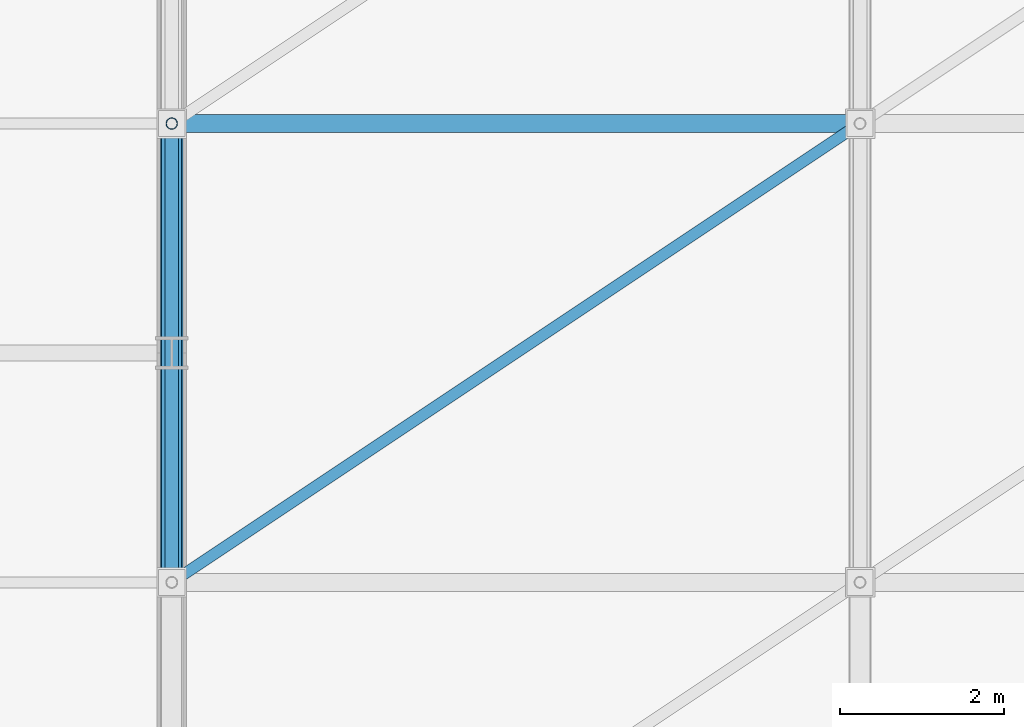
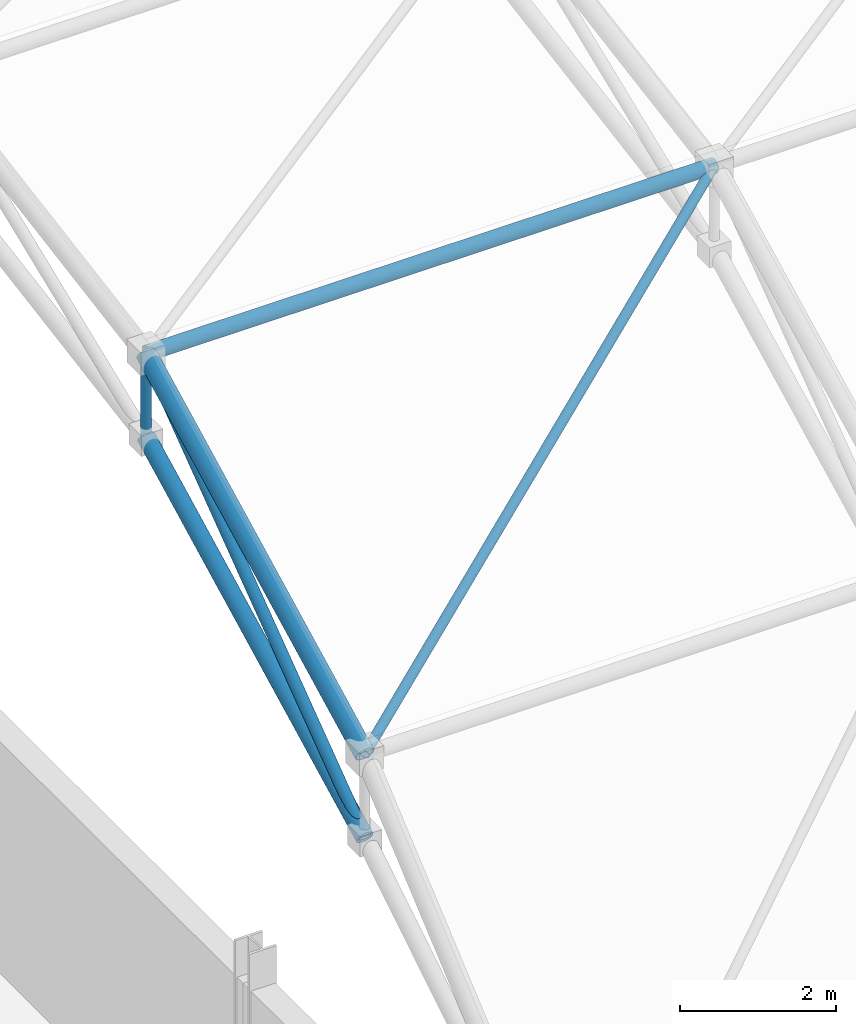
# One storey, part 35 of 184: 6 members.
"""IFC4 building model written with IfcOpenShell, lengths in metres."""

from ifc_helpers import new_model, si_unit, direction, frame, origin, origin_2d, place, context, subcontext, project, spatial, hollow_circle, extrude, material, material_profile, profile_set, type_object, element, save


model = new_model("IFC4")

# Units and contexts
model_context = context("Model", 3, precision=1e-05, world=origin(), true_north=direction((0.0, 1.0)))
body_context = subcontext(model_context, "Body", "Model", "MODEL_VIEW")
ifc_project = project(units=[si_unit("LENGTHUNIT", "METRE"), si_unit("AREAUNIT", "SQUARE_METRE"), si_unit("VOLUMEUNIT", "CUBIC_METRE"), si_unit("PLANEANGLEUNIT", "RADIAN"), si_unit("MASSUNIT", "GRAM", prefix="KILO")], contexts=[model_context])

# Site, building, storey
site_placement = place(None, origin())
site = spatial("IfcSite", under=ifc_project, at=site_placement, CompositionType="ELEMENT")
building_placement = place(site_placement, origin())
building = spatial("IfcBuilding", under=site, at=building_placement, Name="Qalvenar Corner Mobility Hub", CompositionType="ELEMENT")
storey_placement = place(building_placement, frame((0.0, 0.0, 9.0)))
storey = spatial("IfcBuildingStorey", under=building, at=storey_placement, Name="L02", CompositionType="ELEMENT", Elevation=9.0)

# Members
ifc_material = material(Name="Steel S355", Category="steel")
ifc_material_profile_1 = material_profile(ifc_material, hollow_circle(Radius=0.109619140625, WallThickness=0.008056640625, at=origin_2d()), Name="CHS219.1x8")
ifc_profile_set_1 = profile_set([ifc_material_profile_1], Name="Steel S355")
member_type_1 = type_object("IfcMemberType", Name="SF-CHD219", PredefinedType="CHORD", material=ifc_profile_set_1)
member_1_placement = place(storey_placement, frame((50.39990234375, 11.199951171875, 11.704345703125), z_axis=(1.0, 0.0, 0.0), x_axis=(0.0, 1.0, 0.0)))
element("IfcMember", 1, at=member_1_placement, inside=storey, type_object=member_type_1, Name="Space Frame Longitudinal Chord SFL-0170", PredefinedType="CHORD", context=body_context, shape_type="SweptSolid", body=[
    extrude(hollow_circle(Radius=0.109619140625, WallThickness=0.008056640625, at=origin_2d()), origin(), (0.0, 0.0, 1.0), 8.400146484375),
])
ifc_material_profile_2 = material_profile(ifc_material, hollow_circle(Radius=0.122314453125, WallThickness=0.0087890625, at=origin_2d()), Name="CHS244.5x8.8")
ifc_profile_set_2 = profile_set([ifc_material_profile_2], Name="Steel S355")
member_type_2 = type_object("IfcMemberType", Name="SF-CHD244", PredefinedType="CHORD", material=ifc_profile_set_2)
member_2_placement = place(storey_placement, frame((50.39990234375, 5.60009765625, 7.537841796875), z_axis=(0.0, 0.890157020212, 0.455653903052), x_axis=(-1.0, 0.0, 0.0)))
element("IfcMember", 2, at=member_2_placement, inside=storey, type_object=member_type_2, Name="Space Frame Bottom Chord SFBC-0004", PredefinedType="CHORD", context=body_context, shape_type="SweptSolid", body=[
    extrude(hollow_circle(Radius=0.122314453125, WallThickness=0.0087890625, at=origin_2d()), origin(), (0.0, 0.0, 1.0), 6.290771484375),
])
ifc_material_profile_3 = material_profile(ifc_material, hollow_circle(Radius=0.136474609375, WallThickness=0.010009765625, at=origin_2d()), Name="CHS273x10")
ifc_profile_set_3 = profile_set([ifc_material_profile_3], Name="Steel S355")
member_type_3 = type_object("IfcMemberType", Name="SF-CHD273", PredefinedType="CHORD", material=ifc_profile_set_3)
member_3_placement = place(storey_placement, frame((50.39990234375, 5.60009765625, 8.837890625), z_axis=(0.0, 0.890157020212, 0.455653903052), x_axis=(-1.0, 0.0, 0.0)))
element("IfcMember", 3, at=member_3_placement, inside=storey, type_object=member_type_3, Name="Space Frame Top Chord SFTC-0003", PredefinedType="CHORD", context=body_context, shape_type="SweptSolid", body=[
    extrude(hollow_circle(Radius=0.136474609375, WallThickness=0.010009765625, at=origin_2d()), origin(), (0.0, 0.0, 1.0), 6.290771484375),
])
ifc_material_profile_4 = material_profile(ifc_material, hollow_circle(Radius=0.06982421875, WallThickness=0.0048828125, at=origin_2d()), Name="CHS139.7x5")
ifc_profile_set_4 = profile_set([ifc_material_profile_4], Name="Steel S355")
member_type_4 = type_object("IfcMemberType", Name="SF-STR139", PredefinedType="STRUT", material=ifc_profile_set_4)
member_4_placement = place(storey_placement, frame((50.39990234375, 11.199951171875, 10.404296875), z_axis=(0.0, 0.0, 1.0), x_axis=(1.0, 0.0, 0.0)))
element("IfcMember", 4, at=member_4_placement, inside=storey, type_object=member_type_4, Name="Space Frame King Strut SFV-0018", PredefinedType="STRUT", context=body_context, shape_type="SweptSolid", body=[
    extrude(hollow_circle(Radius=0.06982421875, WallThickness=0.0048828125, at=origin_2d()), origin(), (0.0, 0.0, 1.0), 1.300048828125),
])
member_5_placement = place(storey_placement, frame((50.39990234375, 5.60009765625, 8.837890625), z_axis=(0.800422851542, 0.533591970989, 0.273135254453), x_axis=(-0.554683454097, 0.832061455513, 0.0)))
element("IfcMember", 5, at=member_5_placement, inside=storey, type_object=member_type_4, Name="Space Frame Plan Strut SFP-0175", PredefinedType="STRUT", context=body_context, shape_type="SweptSolid", body=[
    extrude(hollow_circle(Radius=0.06982421875, WallThickness=0.0048828125, at=origin_2d()), origin(), (0.0, 0.0, 1.0), 10.49462890625),
])
ifc_material_profile_5 = material_profile(ifc_material, hollow_circle(Radius=0.084228515625, WallThickness=0.00634765625, at=origin_2d()), Name="CHS168.3x6.3")
ifc_profile_set_5 = profile_set([ifc_material_profile_5], Name="Steel S355")
member_type_5 = type_object("IfcMemberType", Name="SF-STR168", PredefinedType="STRUT", material=ifc_profile_set_5)
member_6_placement = place(storey_placement, frame((50.39990234375, 5.60009765625, 7.537841796875), z_axis=(0.0, 0.802290097952, 0.596934333682), x_axis=(-1.0, 0.0, 0.0)))
element("IfcMember", 6, at=member_6_placement, inside=storey, type_object=member_type_5, Name="Space Frame Web Strut SFD-0005", PredefinedType="STRUT", context=body_context, shape_type="SweptSolid", body=[
    extrude(hollow_circle(Radius=0.084228515625, WallThickness=0.00634765625, at=origin_2d()), origin(), (0.0, 0.0, 1.0), 6.979736328125),
])

save(model, "model.ifc")
